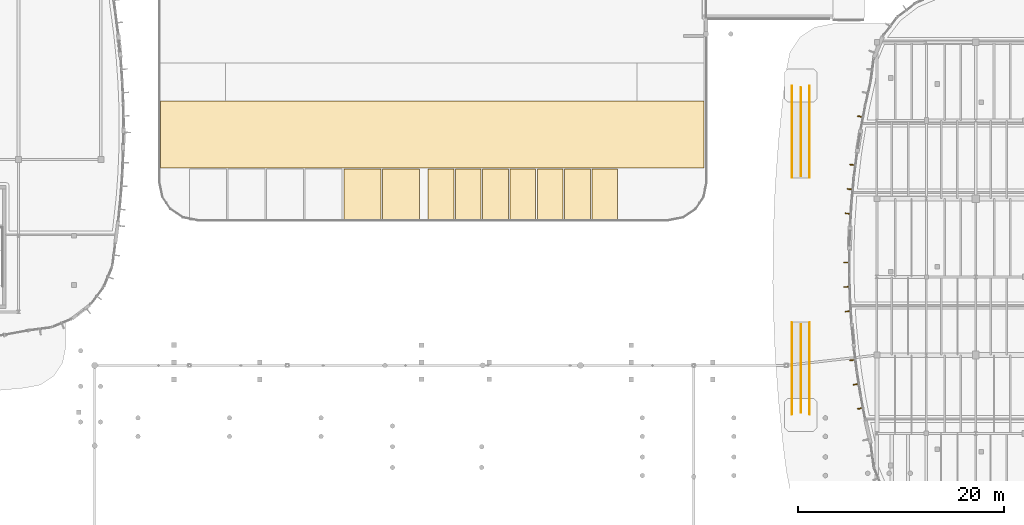
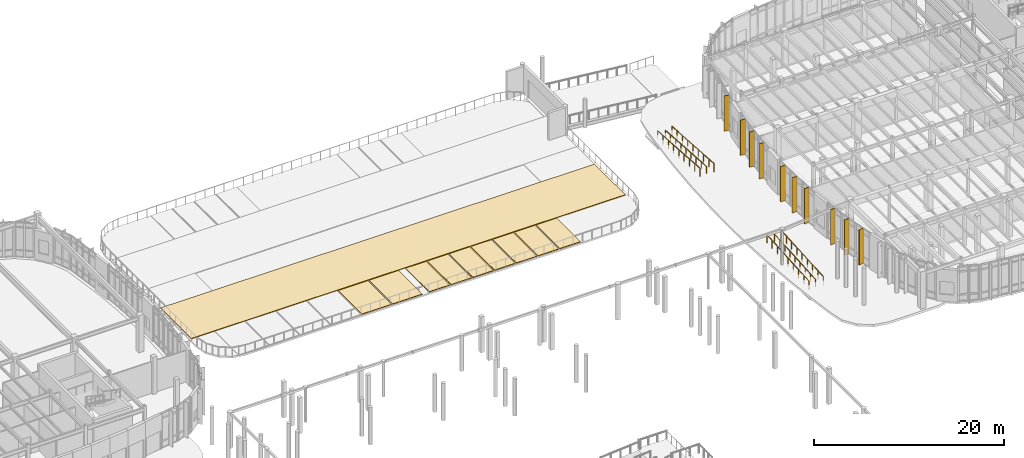
# One storey, part 112 of 120: 20 coverings, 6 railings.
"""IFC4 building model written with IfcOpenShell, lengths in metres."""

from ifc_helpers import new_model, si_unit, direction, frame, origin, origin_2d, place, context, subcontext, project, spatial, polyline, circle, outline, extrude, material, layer, layer_set, type_object, element, save


model = new_model("IFC4")

# Units and contexts
model_context = context("Model", 3, precision=1e-05, world=origin(), true_north=direction((0.0, 1.0)))
body_context = subcontext(model_context, "Body", "Model", "MODEL_VIEW")
ifc_project = project(units=[si_unit("LENGTHUNIT", "METRE"), si_unit("AREAUNIT", "SQUARE_METRE"), si_unit("VOLUMEUNIT", "CUBIC_METRE"), si_unit("PLANEANGLEUNIT", "RADIAN"), si_unit("MASSUNIT", "GRAM", prefix="KILO")], contexts=[model_context])

# Site, building, storey
site_placement = place(None, origin())
site = spatial("IfcSite", under=ifc_project, at=site_placement, CompositionType="ELEMENT")
building_placement = place(site_placement, origin())
building = spatial("IfcBuilding", under=site, at=building_placement, Name="Corveleigh Park Community Centre", CompositionType="ELEMENT")
storey_placement = place(building_placement, origin())
storey = spatial("IfcBuildingStorey", under=building, at=storey_placement, Name="L00", CompositionType="ELEMENT", Elevation=0.0)

# Coverings
ifc_material_1 = material(Name="Warm buff ribbed architectural cladding", Category="masonry")
ifc_layer_1 = layer(ifc_material_1, 0.0849609375, Name="Warm buff ribbed architectural cladding", Category="masonry")
ifc_layer_set_1 = layer_set([ifc_layer_1], Name="Warm buff ribbed architectural cladding")
covering_type_1 = type_object("IfcCoveringType", Name="COV-CLD-BUF", PredefinedType="CLADDING", material=ifc_layer_set_1)
covering_1_placement = place(storey_placement, origin())
element("IfcCovering", 1, at=covering_1_placement, inside=storey, type_object=covering_type_1, Name="V4 L00 Brise-soleil blade 143", PredefinedType="CLADDING", context=body_context, shape_type="SweptSolid", body=[
    extrude(outline(polyline([(128.471923828125, 96.8798828125), (128.488037109375, 96.962890625), (127.91796875, 97.072021484375), (127.902099609375, 96.989013671875), (128.471923828125, 96.8798828125)])), origin(), (0.0, 0.0, 1.0), 4.537109375),
])
covering_2_placement = place(storey_placement, origin())
element("IfcCovering", 2, at=covering_2_placement, inside=storey, type_object=covering_type_1, Name="V4 L00 Brise-soleil blade 144", PredefinedType="CLADDING", context=body_context, shape_type="SweptSolid", body=[
    extrude(outline(polyline([(127.73193359375, 92.202880859375), (127.742919921875, 92.2880859375), (127.16796875, 92.361083984375), (127.156982421875, 92.27587890625), (127.73193359375, 92.202880859375)])), origin(), (0.0, 0.0, 1.0), 4.537109375),
])
covering_3_placement = place(storey_placement, origin())
element("IfcCovering", 3, at=covering_3_placement, inside=storey, type_object=covering_type_1, Name="V4 L00 Brise-soleil blade 145", PredefinedType="CLADDING", context=body_context, shape_type="SweptSolid", body=[
    extrude(outline(polyline([(127.472900390625, 89.85009765625), (127.48095703125, 89.93408203125), (126.904052734375, 89.989013671875), (126.89599609375, 89.904052734375), (127.472900390625, 89.85009765625)])), origin(), (0.0, 0.0, 1.0), 4.537109375),
])
covering_4_placement = place(storey_placement, origin())
element("IfcCovering", 4, at=covering_4_placement, inside=storey, type_object=covering_type_1, Name="V4 L00 Brise-soleil blade 146", PredefinedType="CLADDING", context=body_context, shape_type="SweptSolid", body=[
    extrude(outline(polyline([(127.2890625, 87.489990234375), (127.2939453125, 87.574951171875), (126.715087890625, 87.611083984375), (126.7099609375, 87.52587890625), (127.2890625, 87.489990234375)])), origin(), (0.0, 0.0, 1.0), 4.537109375),
])
covering_5_placement = place(storey_placement, origin())
element("IfcCovering", 5, at=covering_5_placement, inside=storey, type_object=covering_type_1, Name="V4 L00 Brise-soleil blade 147", PredefinedType="CLADDING", context=body_context, shape_type="SweptSolid", body=[
    extrude(outline(polyline([(127.14208984375, 82.757080078125), (127.14208984375, 82.843017578125), (126.56201171875, 82.843017578125), (126.56201171875, 82.757080078125), (127.14208984375, 82.757080078125)])), origin(), (0.0, 0.0, 1.0), 4.537109375),
])
covering_6_placement = place(storey_placement, origin())
element("IfcCovering", 6, at=covering_6_placement, inside=storey, type_object=covering_type_1, Name="V4 L00 Brise-soleil blade 148", PredefinedType="CLADDING", context=body_context, shape_type="SweptSolid", body=[
    extrude(outline(polyline([(127.180908203125, 80.389892578125), (127.177978515625, 80.47509765625), (126.597900390625, 80.45703125), (126.60107421875, 80.3720703125), (127.180908203125, 80.389892578125)])), origin(), (0.0, 0.0, 1.0), 4.537109375),
])
covering_7_placement = place(storey_placement, origin())
element("IfcCovering", 7, at=covering_7_placement, inside=storey, type_object=covering_type_1, Name="V4 L00 Brise-soleil blade 149", PredefinedType="CLADDING", context=body_context, shape_type="SweptSolid", body=[
    extrude(outline(polyline([(127.2939453125, 78.02490234375), (127.2890625, 78.110107421875), (126.7099609375, 78.073974609375), (126.715087890625, 77.989013671875), (127.2939453125, 78.02490234375)])), origin(), (0.0, 0.0, 1.0), 4.537109375),
])
covering_8_placement = place(storey_placement, origin())
element("IfcCovering", 8, at=covering_8_placement, inside=storey, type_object=covering_type_1, Name="V4 L00 Brise-soleil blade 150", PredefinedType="CLADDING", context=body_context, shape_type="SweptSolid", body=[
    extrude(outline(polyline([(127.742919921875, 73.31201171875), (127.73193359375, 73.39697265625), (127.156982421875, 73.323974609375), (127.16796875, 73.239013671875), (127.742919921875, 73.31201171875)])), origin(), (0.0, 0.0, 1.0), 4.537109375),
])
covering_9_placement = place(storey_placement, origin())
element("IfcCovering", 9, at=covering_9_placement, inside=storey, type_object=covering_type_1, Name="V4 L00 Brise-soleil blade 151", PredefinedType="CLADDING", context=body_context, shape_type="SweptSolid", body=[
    extrude(outline(polyline([(128.0791015625, 70.968994140625), (128.06591796875, 71.052978515625), (127.492919921875, 70.9619140625), (127.506103515625, 70.8779296875), (128.0791015625, 70.968994140625)])), origin(), (0.0, 0.0, 1.0), 4.537109375),
])
covering_10_placement = place(storey_placement, origin())
element("IfcCovering", 10, at=covering_10_placement, inside=storey, type_object=covering_type_1, Name="V4 L00 Brise-soleil blade 152", PredefinedType="CLADDING", context=body_context, shape_type="SweptSolid", body=[
    extrude(outline(polyline([(128.488037109375, 68.636962890625), (128.471923828125, 68.719970703125), (127.902099609375, 68.611083984375), (127.91796875, 68.528076171875), (128.488037109375, 68.636962890625)])), origin(), (0.0, 0.0, 1.0), 4.537109375),
])
ifc_material_2 = material(Name="Permeable granite-aggregate block paving", Category="masonry")
ifc_layer_2 = layer(ifc_material_2, 0.080078125, Name="Permeable granite-aggregate block paving", Category="masonry")
ifc_layer_set_2 = layer_set([ifc_layer_2], Name="Permeable granite-aggregate block paving")
covering_type_2 = type_object("IfcCoveringType", Name="COV-FLR-PAV", PredefinedType="FLOORING", material=ifc_layer_set_2)
covering_11_placement = place(storey_placement, origin())
element("IfcCovering", 11, at=covering_11_placement, inside=storey, type_object=covering_type_2, Name="Parking loop south aisle", PredefinedType="FLOORING", context=body_context, shape_type="SweptSolid", body=[
    extrude(outline(polyline([(60.199951171875, 92.0), (113.0, 92.0), (113.0, 98.5), (60.199951171875, 98.5), (60.199951171875, 92.0)])), origin(), (0.0, 0.0, 1.0), 0.080078125),
])
covering_12_placement = place(storey_placement, origin())
element("IfcCovering", 12, at=covering_12_placement, inside=storey, type_object=covering_type_2, Name="Parking bay PB-A5", PredefinedType="FLOORING", context=body_context, shape_type="SweptSolid", body=[
    extrude(outline(polyline([(78.0, 86.89990234375), (81.60009765625, 86.89990234375), (81.60009765625, 91.89990234375), (78.0, 91.89990234375), (78.0, 86.89990234375)])), origin(), (0.0, 0.0, 1.0), 0.080078125),
])
covering_13_placement = place(storey_placement, origin())
element("IfcCovering", 13, at=covering_13_placement, inside=storey, type_object=covering_type_2, Name="Parking bay PB-A6", PredefinedType="FLOORING", context=body_context, shape_type="SweptSolid", body=[
    extrude(outline(polyline([(81.75, 86.89990234375), (85.35009765625, 86.89990234375), (85.35009765625, 91.89990234375), (81.75, 91.89990234375), (81.75, 86.89990234375)])), origin(), (0.0, 0.0, 1.0), 0.080078125),
])
covering_14_placement = place(storey_placement, origin())
element("IfcCovering", 14, at=covering_14_placement, inside=storey, type_object=covering_type_2, Name="Parking bay PB-01", PredefinedType="FLOORING", context=body_context, shape_type="SweptSolid", body=[
    extrude(outline(polyline([(86.199951171875, 86.89990234375), (88.699951171875, 86.89990234375), (88.699951171875, 91.89990234375), (86.199951171875, 91.89990234375), (86.199951171875, 86.89990234375)])), origin(), (0.0, 0.0, 1.0), 0.080078125),
])
covering_15_placement = place(storey_placement, origin())
element("IfcCovering", 15, at=covering_15_placement, inside=storey, type_object=covering_type_2, Name="Parking bay PB-02", PredefinedType="FLOORING", context=body_context, shape_type="SweptSolid", body=[
    extrude(outline(polyline([(88.85009765625, 86.89990234375), (91.35009765625, 86.89990234375), (91.35009765625, 91.89990234375), (88.85009765625, 91.89990234375), (88.85009765625, 86.89990234375)])), origin(), (0.0, 0.0, 1.0), 0.080078125),
])
covering_16_placement = place(storey_placement, origin())
element("IfcCovering", 16, at=covering_16_placement, inside=storey, type_object=covering_type_2, Name="Parking bay PB-03", PredefinedType="FLOORING", context=body_context, shape_type="SweptSolid", body=[
    extrude(outline(polyline([(91.5, 86.89990234375), (94.0, 86.89990234375), (94.0, 91.89990234375), (91.5, 91.89990234375), (91.5, 86.89990234375)])), origin(), (0.0, 0.0, 1.0), 0.080078125),
])
covering_17_placement = place(storey_placement, origin())
element("IfcCovering", 17, at=covering_17_placement, inside=storey, type_object=covering_type_2, Name="Parking bay PB-04", PredefinedType="FLOORING", context=body_context, shape_type="SweptSolid", body=[
    extrude(outline(polyline([(94.14990234375, 86.89990234375), (96.64990234375, 86.89990234375), (96.64990234375, 91.89990234375), (94.14990234375, 91.89990234375), (94.14990234375, 86.89990234375)])), origin(), (0.0, 0.0, 1.0), 0.080078125),
])
covering_18_placement = place(storey_placement, origin())
element("IfcCovering", 18, at=covering_18_placement, inside=storey, type_object=covering_type_2, Name="Parking bay PB-05", PredefinedType="FLOORING", context=body_context, shape_type="SweptSolid", body=[
    extrude(outline(polyline([(96.800048828125, 86.89990234375), (99.300048828125, 86.89990234375), (99.300048828125, 91.89990234375), (96.800048828125, 91.89990234375), (96.800048828125, 86.89990234375)])), origin(), (0.0, 0.0, 1.0), 0.080078125),
])
covering_19_placement = place(storey_placement, origin())
element("IfcCovering", 19, at=covering_19_placement, inside=storey, type_object=covering_type_2, Name="Parking bay PB-06", PredefinedType="FLOORING", context=body_context, shape_type="SweptSolid", body=[
    extrude(outline(polyline([(99.449951171875, 86.89990234375), (101.949951171875, 86.89990234375), (101.949951171875, 91.89990234375), (99.449951171875, 91.89990234375), (99.449951171875, 86.89990234375)])), origin(), (0.0, 0.0, 1.0), 0.080078125),
])
covering_20_placement = place(storey_placement, origin())
element("IfcCovering", 20, at=covering_20_placement, inside=storey, type_object=covering_type_2, Name="Parking bay PB-07", PredefinedType="FLOORING", context=body_context, shape_type="SweptSolid", body=[
    extrude(outline(polyline([(102.10009765625, 86.89990234375), (104.60009765625, 86.89990234375), (104.60009765625, 91.89990234375), (102.10009765625, 91.89990234375), (102.10009765625, 86.89990234375)])), origin(), (0.0, 0.0, 1.0), 0.080078125),
])

# Railings
ifc_material_3 = material(Name="Stainless steel 316 balustrade", Category="steel")
railing_type_1 = type_object("IfcRailingType", Name="RLG-BAL-EXT-1100", PredefinedType="BALUSTRADE", material=ifc_material_3)
for number, where, name in (
    (21, (121.5400390625, 68.050048828125, -0.596923828125), "Ramp RM4 guard L"),
    (22, (123.260009765625, 68.050048828125, -0.596923828125), "Ramp RM4 guard R"),
):
    element("IfcRailing", number, at=place(storey_placement, frame(where)), inside=storey, type_object=railing_type_1, Name=name, PredefinedType="BALUSTRADE", context=body_context, shape_type="SweptSolid", body=[
        extrude(circle(Radius=0.02392578125, at=origin_2d()), frame((0.0, 0.0, 1.076171875), z_axis=(0.0, 0.997780189552, 0.066593493202), x_axis=(-1.0, 0.0, 0.0)), (0.0, 0.0, 1.0), 8.919677734375),
        extrude(circle(Radius=0.02099609375, at=origin_2d()), origin(), (0.0, 0.0, 1.0), 1.052001953125),
        extrude(circle(Radius=0.02099609375, at=origin_2d()), frame((0.0, 1.112548828125, 0.07421875)), (0.0, 0.0, 1.0), 1.052001953125),
        extrude(circle(Radius=0.02099609375, at=origin_2d()), frame((0.0, 2.22509765625, 0.1484375)), (0.0, 0.0, 1.0), 1.052001953125),
        extrude(circle(Radius=0.02099609375, at=origin_2d()), frame((0.0, 3.33740234375, 0.22265625)), (0.0, 0.0, 1.0), 1.052001953125),
        extrude(circle(Radius=0.02099609375, at=origin_2d()), frame((0.0, 4.449951171875, 0.296875)), (0.0, 0.0, 1.0), 1.052001953125),
        extrude(circle(Radius=0.02099609375, at=origin_2d()), frame((0.0, 5.5625, 0.371337890625)), (0.0, 0.0, 1.0), 1.052001953125),
        extrude(circle(Radius=0.02099609375, at=origin_2d()), frame((0.0, 6.6748046875, 0.445556640625)), (0.0, 0.0, 1.0), 1.052001953125),
        extrude(circle(Radius=0.02099609375, at=origin_2d()), frame((0.0, 7.787353515625, 0.519775390625)), (0.0, 0.0, 1.0), 1.052001953125),
        extrude(circle(Radius=0.02099609375, at=origin_2d()), frame((0.0, 8.89990234375, 0.593994140625)), (0.0, 0.0, 1.0), 1.052001953125),
    ])
for number, where, name in (
    (23, (123.260009765625, 99.949951171875, -0.596923828125), "Ramp RM5 guard L"),
    (24, (121.5400390625, 99.949951171875, -0.596923828125), "Ramp RM5 guard R"),
):
    element("IfcRailing", number, at=place(storey_placement, frame(where)), inside=storey, type_object=railing_type_1, Name=name, PredefinedType="BALUSTRADE", context=body_context, shape_type="SweptSolid", body=[
        extrude(circle(Radius=0.02392578125, at=origin_2d()), frame((0.0, 0.0, 1.076171875), z_axis=(0.0, -0.997780189552, 0.066593493202), x_axis=(1.0, 0.0, 0.0)), (0.0, 0.0, 1.0), 8.919677734375),
        extrude(circle(Radius=0.02099609375, at=origin_2d()), origin(), (0.0, 0.0, 1.0), 1.052001953125),
        extrude(circle(Radius=0.02099609375, at=origin_2d()), frame((0.0, -1.112548828125, 0.07421875)), (0.0, 0.0, 1.0), 1.052001953125),
        extrude(circle(Radius=0.02099609375, at=origin_2d()), frame((0.0, -2.22509765625, 0.1484375)), (0.0, 0.0, 1.0), 1.052001953125),
        extrude(circle(Radius=0.02099609375, at=origin_2d()), frame((0.0, -3.33740234375, 0.22265625)), (0.0, 0.0, 1.0), 1.052001953125),
        extrude(circle(Radius=0.02099609375, at=origin_2d()), frame((0.0, -4.449951171875, 0.296875)), (0.0, 0.0, 1.0), 1.052001953125),
        extrude(circle(Radius=0.02099609375, at=origin_2d()), frame((0.0, -5.5625, 0.371337890625)), (0.0, 0.0, 1.0), 1.052001953125),
        extrude(circle(Radius=0.02099609375, at=origin_2d()), frame((0.0, -6.6748046875, 0.445556640625)), (0.0, 0.0, 1.0), 1.052001953125),
        extrude(circle(Radius=0.02099609375, at=origin_2d()), frame((0.0, -7.787353515625, 0.519775390625)), (0.0, 0.0, 1.0), 1.052001953125),
        extrude(circle(Radius=0.02099609375, at=origin_2d()), frame((0.0, -8.89990234375, 0.593994140625)), (0.0, 0.0, 1.0), 1.052001953125),
    ])
ifc_material_4 = material(Name="Powder-coated aluminium handrail", Category="aluminium")
railing_type_2 = type_object("IfcRailingType", Name="RLG-HND-EXT-950", PredefinedType="HANDRAIL", material=ifc_material_4)
railing_1_placement = place(storey_placement, frame((122.39990234375, 68.199951171875, -0.5869140625)))
element("IfcRailing", 25, at=railing_1_placement, inside=storey, type_object=railing_type_2, Name="Accessible ramp handrail RM4", PredefinedType="HANDRAIL", context=body_context, shape_type="SweptSolid", body=[
    extrude(circle(Radius=0.02392578125, at=origin_2d()), frame((0.0, 0.0, 0.92578125), z_axis=(0.0, 0.997780267202, 0.066592329762), x_axis=(-1.0, 0.0, 0.0)), (0.0, 0.0, 1.0), 8.619140625),
    extrude(circle(Radius=0.02099609375, at=origin_2d()), origin(), (0.0, 0.0, 1.0), 0.90185546875),
    extrude(circle(Radius=0.02099609375, at=origin_2d()), frame((0.0, 1.074951171875, 0.07177734375)), (0.0, 0.0, 1.0), 0.90185546875),
    extrude(circle(Radius=0.02099609375, at=origin_2d()), frame((0.0, 2.14990234375, 0.1435546875)), (0.0, 0.0, 1.0), 0.90185546875),
    extrude(circle(Radius=0.02099609375, at=origin_2d()), frame((0.0, 3.22509765625, 0.21533203125)), (0.0, 0.0, 1.0), 0.90185546875),
    extrude(circle(Radius=0.02099609375, at=origin_2d()), frame((0.0, 4.300048828125, 0.287109375)), (0.0, 0.0, 1.0), 0.90185546875),
    extrude(circle(Radius=0.02099609375, at=origin_2d()), frame((0.0, 5.375, 0.358642578125)), (0.0, 0.0, 1.0), 0.90185546875),
    extrude(circle(Radius=0.02099609375, at=origin_2d()), frame((0.0, 6.4501953125, 0.430419921875)), (0.0, 0.0, 1.0), 0.90185546875),
    extrude(circle(Radius=0.02099609375, at=origin_2d()), frame((0.0, 7.525146484375, 0.502197265625)), (0.0, 0.0, 1.0), 0.90185546875),
    extrude(circle(Radius=0.02099609375, at=origin_2d()), frame((0.0, 8.60009765625, 0.573974609375)), (0.0, 0.0, 1.0), 0.90185546875),
])
railing_2_placement = place(storey_placement, frame((122.39990234375, 99.800048828125, -0.5869140625)))
element("IfcRailing", 26, at=railing_2_placement, inside=storey, type_object=railing_type_2, Name="Accessible ramp handrail RM5", PredefinedType="HANDRAIL", context=body_context, shape_type="SweptSolid", body=[
    extrude(circle(Radius=0.02392578125, at=origin_2d()), frame((0.0, 0.0, 0.92578125), z_axis=(0.0, -0.997780267202, 0.066592329762), x_axis=(1.0, 0.0, 0.0)), (0.0, 0.0, 1.0), 8.619140625),
    extrude(circle(Radius=0.02099609375, at=origin_2d()), origin(), (0.0, 0.0, 1.0), 0.90185546875),
    extrude(circle(Radius=0.02099609375, at=origin_2d()), frame((0.0, -1.074951171875, 0.07177734375)), (0.0, 0.0, 1.0), 0.90185546875),
    extrude(circle(Radius=0.02099609375, at=origin_2d()), frame((0.0, -2.14990234375, 0.1435546875)), (0.0, 0.0, 1.0), 0.90185546875),
    extrude(circle(Radius=0.02099609375, at=origin_2d()), frame((0.0, -3.22509765625, 0.21533203125)), (0.0, 0.0, 1.0), 0.90185546875),
    extrude(circle(Radius=0.02099609375, at=origin_2d()), frame((0.0, -4.300048828125, 0.287109375)), (0.0, 0.0, 1.0), 0.90185546875),
    extrude(circle(Radius=0.02099609375, at=origin_2d()), frame((0.0, -5.375, 0.358642578125)), (0.0, 0.0, 1.0), 0.90185546875),
    extrude(circle(Radius=0.02099609375, at=origin_2d()), frame((0.0, -6.4501953125, 0.430419921875)), (0.0, 0.0, 1.0), 0.90185546875),
    extrude(circle(Radius=0.02099609375, at=origin_2d()), frame((0.0, -7.525146484375, 0.502197265625)), (0.0, 0.0, 1.0), 0.90185546875),
    extrude(circle(Radius=0.02099609375, at=origin_2d()), frame((0.0, -8.60009765625, 0.573974609375)), (0.0, 0.0, 1.0), 0.90185546875),
])

save(model, "model.ifc")
